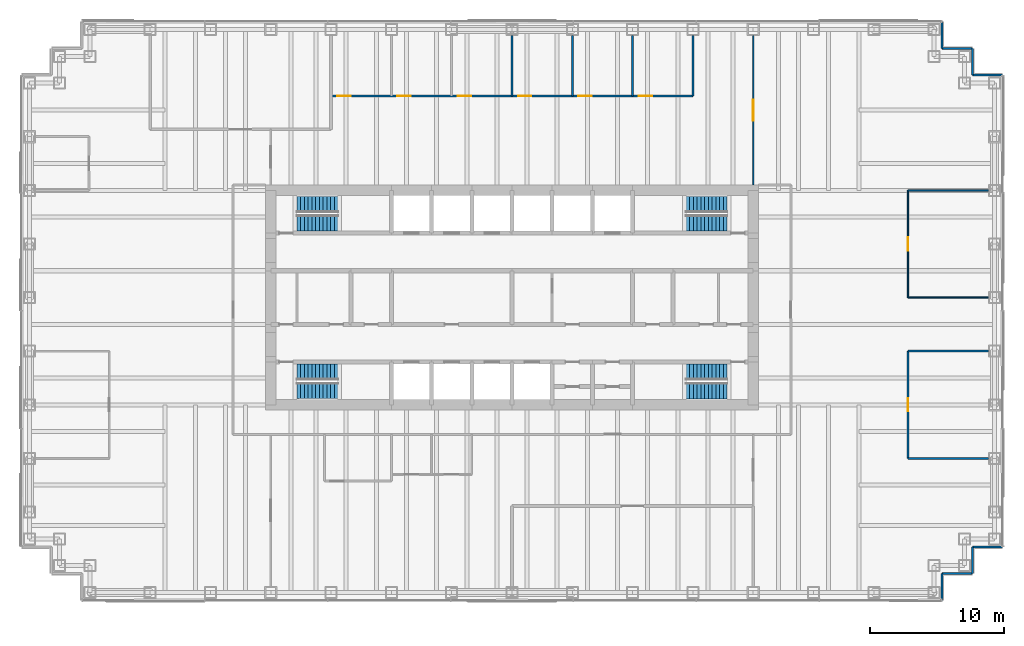
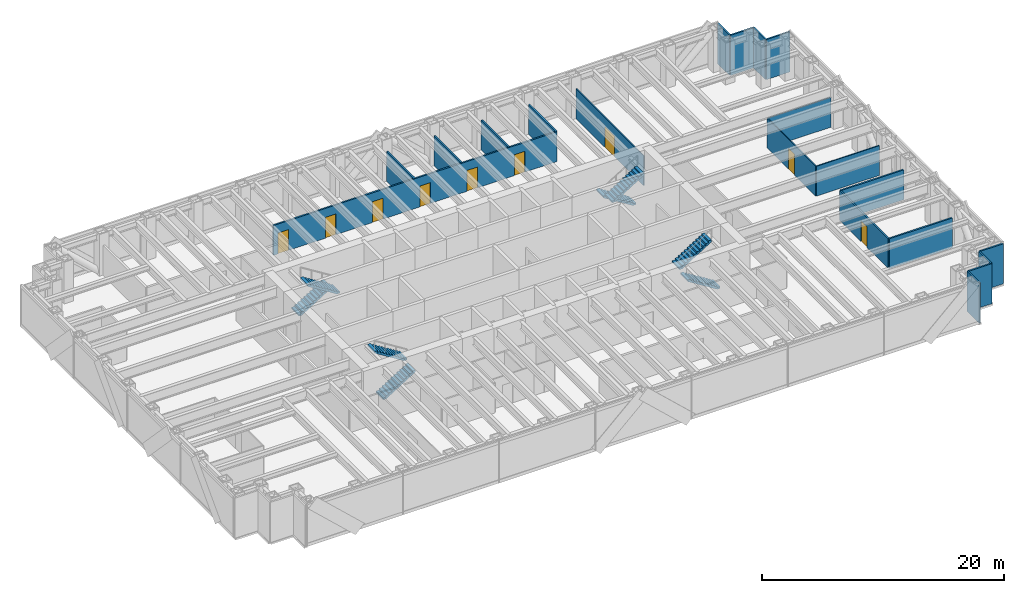
# One storey, part 13 of 14: 20 walls, 9 doors, 8 stair flights, 9 openings, 4 elements without a shape of their own.
"""IFC4 building model written with IfcOpenShell, lengths in metres."""

from ifc_helpers import new_model, si_unit, direction, frame, frame_2d, origin, place, context, subcontext, project, spatial, polyline, rectangle, outline, extrude, material, layer, layer_set, type_object, element, fill, aggregate, save


model = new_model("IFC4")

# Units and contexts
model_context = context("Model", 3, precision=1e-05, world=origin(), true_north=direction((0.0, 1.0)))
body_context = subcontext(model_context, "Body", "Model", "MODEL_VIEW")
ifc_project = project(units=[si_unit("LENGTHUNIT", "METRE"), si_unit("AREAUNIT", "SQUARE_METRE"), si_unit("VOLUMEUNIT", "CUBIC_METRE"), si_unit("PLANEANGLEUNIT", "RADIAN"), si_unit("MASSUNIT", "GRAM", prefix="KILO")], contexts=[model_context])

# Site, building, storey
site_placement = place(None, origin())
site = spatial("IfcSite", under=ifc_project, at=site_placement, CompositionType="ELEMENT")
building_placement = place(site_placement, origin())
building = spatial("IfcBuilding", under=site, at=building_placement, Name="Rheinbord Bourse Tower", CompositionType="ELEMENT")
storey_placement = place(building_placement, frame((0.0, 0.0, 240.39990234375)))
storey = spatial("IfcBuildingStorey", under=building, at=storey_placement, Name="L54", CompositionType="ELEMENT", Elevation=240.39990234375)

# Walls
ifc_material_1 = material(Name="Black metal rainscreen panel", Category="aluminium")
ifc_layer_1 = layer(ifc_material_1, 0.14990234375)
ifc_layer_set_1 = layer_set([ifc_layer_1], Name="CORNER PIER CLADDING 150")
wall_type_1 = type_object("IfcWallType", Name="CORNER PIER CLADDING 150", PredefinedType="ELEMENTEDWALL", material=ifc_layer_set_1)
wall_1_placement = place(storey_placement, frame((68.10009765625, 1.39990234375, 0.0), z_axis=(0.0, 0.0, 1.0), x_axis=(0.0, 1.0, 0.0)))
element("IfcWall", 1, at=wall_1_placement, inside=storey, type_object=wall_type_1, Name="Corner pier cladding L54 2", PredefinedType="ELEMENTEDWALL", context=body_context, shape_type="SweptSolid", body=[
    extrude(rectangle(XDim=2.0, YDim=0.14990234375, at=frame_2d((1.0, 0.0))), origin(), (0.0, 0.0, 1.0), 4.0400390625),
])
wall_2_placement = place(storey_placement, frame((68.10009765625, 3.39990234375, 0.0), z_axis=(0.0, 0.0, 1.0), x_axis=(1.0, 0.0, 0.0)))
element("IfcWall", 2, at=wall_2_placement, inside=storey, type_object=wall_type_1, Name="Corner pier cladding L54 3", PredefinedType="ELEMENTEDWALL", context=body_context, shape_type="SweptSolid", body=[
    extrude(rectangle(XDim=2.25, YDim=0.14990234375, at=frame_2d((1.125, 0.0))), origin(), (0.0, 0.0, 1.0), 4.0400390625),
])
wall_3_placement = place(storey_placement, frame((70.35009765625, 3.39990234375, 0.0), z_axis=(0.0, 0.0, 1.0), x_axis=(0.0, 1.0, 0.0)))
element("IfcWall", 3, at=wall_3_placement, inside=storey, type_object=wall_type_1, Name="Corner pier cladding L54 4", PredefinedType="ELEMENTEDWALL", context=body_context, shape_type="SweptSolid", body=[
    extrude(rectangle(XDim=2.0, YDim=0.14990234375, at=frame_2d((1.0, 0.0))), origin(), (0.0, 0.0, 1.0), 4.0400390625),
])
for number, where, z_axis, x_axis, name in (
    (4, (70.35009765625, 5.39990234375, 0.0), (0.0, 0.0, 1.0), (1.0, 0.0, 0.0), "Corner pier cladding L54 5"),
    (5, (72.60009765625, 40.60009765625, 0.0), (0.0, 0.0, 1.0), (-1.0, 0.0, 0.0), "Corner pier cladding L54 7"),
):
    element("IfcWall", number, at=place(storey_placement, frame(where, z_axis=z_axis, x_axis=x_axis)), inside=storey, type_object=wall_type_1, Name=name, PredefinedType="ELEMENTEDWALL", context=body_context, shape_type="SweptSolid", body=[
        extrude(rectangle(XDim=2.25, YDim=0.14990234375, at=frame_2d((1.125, 0.0))), origin(), (0.0, 0.0, 1.0), 4.0400390625),
    ])
wall_4_placement = place(storey_placement, frame((70.35009765625, 40.60009765625, 0.0), z_axis=(0.0, 0.0, 1.0), x_axis=(0.0, 1.0, 0.0)))
element("IfcWall", 6, at=wall_4_placement, inside=storey, type_object=wall_type_1, Name="Corner pier cladding L54 8", PredefinedType="ELEMENTEDWALL", context=body_context, shape_type="SweptSolid", body=[
    extrude(rectangle(XDim=2.0, YDim=0.14990234375, at=frame_2d((1.0, 0.0))), origin(), (0.0, 0.0, 1.0), 4.0400390625),
])
wall_5_placement = place(storey_placement, frame((70.35009765625, 42.60009765625, 0.0), z_axis=(0.0, 0.0, 1.0), x_axis=(-1.0, 0.0, 0.0)))
element("IfcWall", 7, at=wall_5_placement, inside=storey, type_object=wall_type_1, Name="Corner pier cladding L54 9", PredefinedType="ELEMENTEDWALL", context=body_context, shape_type="SweptSolid", body=[
    extrude(rectangle(XDim=2.25, YDim=0.14990234375, at=frame_2d((1.125, 0.0))), origin(), (0.0, 0.0, 1.0), 4.0400390625),
])
wall_6_placement = place(storey_placement, frame((68.10009765625, 42.60009765625, 0.0), z_axis=(0.0, 0.0, 1.0), x_axis=(0.0, 1.0, 0.0)))
element("IfcWall", 8, at=wall_6_placement, inside=storey, type_object=wall_type_1, Name="Corner pier cladding L54 10", PredefinedType="ELEMENTEDWALL", context=body_context, shape_type="SweptSolid", body=[
    extrude(rectangle(XDim=2.0, YDim=0.14990234375, at=frame_2d((1.0, 0.0))), origin(), (0.0, 0.0, 1.0), 4.0400390625),
])
ifc_material_2 = material(Name="Toughened laminated glass partition", Category="glass")
ifc_layer_2 = layer(ifc_material_2, 0.10009765625)
ifc_layer_set_2 = layer_set([ifc_layer_2], Name="GLAZED PARTITION 100")
wall_type_2 = type_object("IfcWallType", Name="GLAZED PARTITION 100", PredefinedType="PARTITIONING", material=ifc_layer_set_2)
for number, where, z_axis, x_axis, name in (
    (9, (65.550048828125, 24.0, 0.0), (0.0, 0.0, 1.0), (1.0, 0.0, 0.0), "Partition L54-11"),
    (10, (65.550048828125, 32.0, 0.0), (0.0, 0.0, 1.0), (1.0, 0.0, 0.0), "Partition L54-13"),
):
    element("IfcWall", number, at=place(storey_placement, frame(where, z_axis=z_axis, x_axis=x_axis)), inside=storey, type_object=wall_type_2, Name=name, PredefinedType="PARTITIONING", context=body_context, shape_type="SweptSolid", body=[
        extrude(rectangle(XDim=6.0, YDim=0.10009765625, at=frame_2d((3.0, 0.0))), origin(), (0.0, 0.0, 1.0), 3.0),
    ])

# Wall, opening, door
wall_7_placement = place(storey_placement, frame((54.0, 32.39990234375, 0.0), z_axis=(0.0, 0.0, 1.0), x_axis=(0.0, 1.0, 0.0)))
wall_7 = element("IfcWall", 11, at=wall_7_placement, inside=storey, type_object=wall_type_2, Name="Partition L54-39", PredefinedType="PARTITIONING", context=body_context, shape_type="SweptSolid", body=[
    extrude(rectangle(XDim=11.150146484375, YDim=0.10009765625, at=frame_2d((5.5751953125, 0.0))), origin(), (0.0, 0.0, 1.0), 3.0),
])
opening_1_placement = place(wall_7_placement, frame((4.77490234375, 0.0, 0.0)))
opening_1 = element("IfcOpeningElement", 12, at=opening_1_placement, cuts=wall_7, Name="Opening 54D19", PredefinedType="OPENING", context=body_context, shape_type="SweptSolid", body=[
    extrude(rectangle(XDim=1.60009765625, YDim=2.10009765625, at=frame_2d((0.800048828125, 1.050048828125))), frame((0.0, 0.06005859375, 0.0), z_axis=(0.0, -1.0, 0.0), x_axis=(1.0, 0.0, 0.0)), (0.0, 0.0, 1.0), 0.1201171875),
])
ifc_material_3 = material(Name="Timber door", Category="wood")
door_type_1 = type_object("IfcDoorType", Name="DOUBLE ROOM DOOR 1600", OperationType="DOUBLE_DOOR_DOUBLE_SWING", PredefinedType="DOOR", material=ifc_material_3)
door_1_placement = place(opening_1_placement, origin())
door_1 = element("IfcDoor", 13, at=door_1_placement, inside=storey, type_object=door_type_1, Name="Open area door L54", OperationType="SINGLE_SWING_LEFT", OverallHeight=2.10009765625, OverallWidth=1.60009765625, PredefinedType="DOOR", context=body_context, shape_type="SweptSolid", body=[
    extrude(rectangle(XDim=1.60009765625, YDim=2.10009765625, at=frame_2d((0.800048828125, 1.050048828125))), frame((0.0, 0.02490234375, 0.0), z_axis=(0.0, -1.0, 0.0), x_axis=(1.0, 0.0, 0.0)), (0.0, 0.0, 1.0), 0.050048828125),
])
fill(opening_1, door_1)

wall_8_placement = place(storey_placement, frame((65.550048828125, 24.0, 0.0), z_axis=(0.0, 0.0, 1.0), x_axis=(0.0, 1.0, 0.0)))
wall_8 = element("IfcWall", 14, at=wall_8_placement, inside=storey, type_object=wall_type_2, Name="Partition L54-42", PredefinedType="PARTITIONING", context=body_context, shape_type="SweptSolid", body=[
    extrude(rectangle(XDim=8.0, YDim=0.10009765625, at=frame_2d((4.0, 0.0))), origin(), (0.0, 0.0, 1.0), 3.0),
])
opening_2_placement = place(wall_8_placement, frame((3.5, 0.0, 0.0)))
opening_2 = element("IfcOpeningElement", 15, at=opening_2_placement, cuts=wall_8, Name="Opening 54D07", PredefinedType="OPENING", context=body_context, shape_type="SweptSolid", body=[
    extrude(rectangle(XDim=1.0, YDim=2.10009765625, at=frame_2d((0.5, 1.050048828125))), frame((0.0, 0.06005859375, 0.0), z_axis=(0.0, -1.0, 0.0), x_axis=(1.0, 0.0, 0.0)), (0.0, 0.0, 1.0), 0.1201171875),
])
ifc_material_4 = material(Name="Timber door", Category="wood")
door_type_2 = type_object("IfcDoorType", Name="ROOM DOOR 1000", OperationType="SINGLE_SWING_LEFT", PredefinedType="DOOR", material=ifc_material_4)
door_2_placement = place(opening_2_placement, origin())
door_2 = element("IfcDoor", 16, at=door_2_placement, inside=storey, type_object=door_type_2, Name="Meeting room door L54", OperationType="SINGLE_SWING_LEFT", OverallHeight=2.10009765625, OverallWidth=1.0, PredefinedType="DOOR", context=body_context, shape_type="SweptSolid", body=[
    extrude(rectangle(XDim=1.0, YDim=2.10009765625, at=frame_2d((0.5, 1.050048828125))), frame((0.0, 0.02490234375, 0.0), z_axis=(0.0, -1.0, 0.0), x_axis=(1.0, 0.0, 0.0)), (0.0, 0.0, 1.0), 0.050048828125),
])
fill(opening_2, door_2)

# Walls
ifc_material_5 = material(Name="Gypsum board partition", Category="gypsum board")
ifc_layer_3 = layer(ifc_material_5, 0.14990234375)
ifc_layer_set_3 = layer_set([ifc_layer_3], Name="PARTITION 150")
wall_type_3 = type_object("IfcWallType", Name="PARTITION 150", PredefinedType="PARTITIONING", material=ifc_layer_set_3)
for number, where, z_axis, x_axis, name in (
    (17, (65.550048828125, 12.0, 0.0), (0.0, 0.0, 1.0), (1.0, 0.0, 0.0), "Partition L54-05"),
    (18, (65.550048828125, 20.0, 0.0), (0.0, 0.0, 1.0), (1.0, 0.0, 0.0), "Partition L54-10"),
):
    element("IfcWall", number, at=place(storey_placement, frame(where, z_axis=z_axis, x_axis=x_axis)), inside=storey, type_object=wall_type_3, Name=name, PredefinedType="PARTITIONING", context=body_context, shape_type="SweptSolid", body=[
        extrude(rectangle(XDim=6.0, YDim=0.14990234375, at=frame_2d((3.0, 0.0))), origin(), (0.0, 0.0, 1.0), 3.0),
    ])

# Wall, openings, doors
wall_9_placement = place(storey_placement, frame((22.5, 39.050048828125, 0.0), z_axis=(0.0, 0.0, 1.0), x_axis=(1.0, 0.0, 0.0)))
wall_9 = element("IfcWall", 19, at=wall_9_placement, inside=storey, type_object=wall_type_3, Name="Partition L54-18", PredefinedType="PARTITIONING", context=body_context, shape_type="SweptSolid", body=[
    extrude(rectangle(XDim=27.0, YDim=0.14990234375, at=frame_2d((13.5, 0.0))), origin(), (0.0, 0.0, 1.0), 3.0),
])
opening_3_placement = place(wall_9_placement, frame((0.449951171875, 0.0, 0.0)))
opening_3 = element("IfcOpeningElement", 20, at=opening_3_placement, cuts=wall_9, Name="Opening 54D10", PredefinedType="OPENING", context=body_context, shape_type="SweptSolid", body=[
    extrude(rectangle(XDim=1.0, YDim=2.10009765625, at=frame_2d((0.5, 1.050048828125))), frame((0.0, 0.0849609375, 0.0), z_axis=(0.0, -1.0, 0.0), x_axis=(1.0, 0.0, 0.0)), (0.0, 0.0, 1.0), 0.169921875),
])
opening_4_placement = place(wall_9_placement, frame((4.949951171875, 0.0, 0.0)))
opening_4 = element("IfcOpeningElement", 21, at=opening_4_placement, cuts=wall_9, Name="Opening 54D11", PredefinedType="OPENING", context=body_context, shape_type="SweptSolid", body=[
    extrude(rectangle(XDim=1.0, YDim=2.10009765625, at=frame_2d((0.5, 1.050048828125))), frame((0.0, 0.0849609375, 0.0), z_axis=(0.0, -1.0, 0.0), x_axis=(1.0, 0.0, 0.0)), (0.0, 0.0, 1.0), 0.169921875),
])
opening_5_placement = place(wall_9_placement, frame((9.449951171875, 0.0, 0.0)))
opening_5 = element("IfcOpeningElement", 22, at=opening_5_placement, cuts=wall_9, Name="Opening 54D12", PredefinedType="OPENING", context=body_context, shape_type="SweptSolid", body=[
    extrude(rectangle(XDim=1.0, YDim=2.10009765625, at=frame_2d((0.5, 1.050048828125))), frame((0.0, 0.0849609375, 0.0), z_axis=(0.0, -1.0, 0.0), x_axis=(1.0, 0.0, 0.0)), (0.0, 0.0, 1.0), 0.169921875),
])
opening_6_placement = place(wall_9_placement, frame((13.949951171875, 0.0, 0.0)))
opening_6 = element("IfcOpeningElement", 23, at=opening_6_placement, cuts=wall_9, Name="Opening 54D13", PredefinedType="OPENING", context=body_context, shape_type="SweptSolid", body=[
    extrude(rectangle(XDim=1.0, YDim=2.10009765625, at=frame_2d((0.5, 1.050048828125))), frame((0.0, 0.0849609375, 0.0), z_axis=(0.0, -1.0, 0.0), x_axis=(1.0, 0.0, 0.0)), (0.0, 0.0, 1.0), 0.169921875),
])
opening_7_placement = place(wall_9_placement, frame((18.449951171875, 0.0, 0.0)))
opening_7 = element("IfcOpeningElement", 24, at=opening_7_placement, cuts=wall_9, Name="Opening 54D14", PredefinedType="OPENING", context=body_context, shape_type="SweptSolid", body=[
    extrude(rectangle(XDim=1.0, YDim=2.10009765625, at=frame_2d((0.5, 1.050048828125))), frame((0.0, 0.0849609375, 0.0), z_axis=(0.0, -1.0, 0.0), x_axis=(1.0, 0.0, 0.0)), (0.0, 0.0, 1.0), 0.169921875),
])
opening_8_placement = place(wall_9_placement, frame((22.949951171875, 0.0, 0.0)))
opening_8 = element("IfcOpeningElement", 25, at=opening_8_placement, cuts=wall_9, Name="Opening 54D15", PredefinedType="OPENING", context=body_context, shape_type="SweptSolid", body=[
    extrude(rectangle(XDim=1.0, YDim=2.10009765625, at=frame_2d((0.5, 1.050048828125))), frame((0.0, 0.0849609375, 0.0), z_axis=(0.0, -1.0, 0.0), x_axis=(1.0, 0.0, 0.0)), (0.0, 0.0, 1.0), 0.169921875),
])
door_3_placement = place(opening_3_placement, origin())
door_3 = element("IfcDoor", 26, at=door_3_placement, inside=storey, type_object=door_type_2, Name="Office door L54", OperationType="SINGLE_SWING_LEFT", OverallHeight=2.10009765625, OverallWidth=1.0, PredefinedType="DOOR", context=body_context, shape_type="SweptSolid", body=[
    extrude(rectangle(XDim=1.0, YDim=2.10009765625, at=frame_2d((0.5, 1.050048828125))), frame((0.0, 0.02490234375, 0.0), z_axis=(0.0, -1.0, 0.0), x_axis=(1.0, 0.0, 0.0)), (0.0, 0.0, 1.0), 0.050048828125),
])
fill(opening_3, door_3)
door_4_placement = place(opening_4_placement, origin())
door_4 = element("IfcDoor", 27, at=door_4_placement, inside=storey, type_object=door_type_2, Name="Office door L54", OperationType="SINGLE_SWING_LEFT", OverallHeight=2.10009765625, OverallWidth=1.0, PredefinedType="DOOR", context=body_context, shape_type="SweptSolid", body=[
    extrude(rectangle(XDim=1.0, YDim=2.10009765625, at=frame_2d((0.5, 1.050048828125))), frame((0.0, 0.02490234375, 0.0), z_axis=(0.0, -1.0, 0.0), x_axis=(1.0, 0.0, 0.0)), (0.0, 0.0, 1.0), 0.050048828125),
])
fill(opening_4, door_4)
door_5_placement = place(opening_5_placement, origin())
door_5 = element("IfcDoor", 28, at=door_5_placement, inside=storey, type_object=door_type_2, Name="Office door L54", OperationType="SINGLE_SWING_LEFT", OverallHeight=2.10009765625, OverallWidth=1.0, PredefinedType="DOOR", context=body_context, shape_type="SweptSolid", body=[
    extrude(rectangle(XDim=1.0, YDim=2.10009765625, at=frame_2d((0.5, 1.050048828125))), frame((0.0, 0.02490234375, 0.0), z_axis=(0.0, -1.0, 0.0), x_axis=(1.0, 0.0, 0.0)), (0.0, 0.0, 1.0), 0.050048828125),
])
fill(opening_5, door_5)
door_6_placement = place(opening_6_placement, origin())
door_6 = element("IfcDoor", 29, at=door_6_placement, inside=storey, type_object=door_type_2, Name="Office door L54", OperationType="SINGLE_SWING_RIGHT", OverallHeight=2.10009765625, OverallWidth=1.0, PredefinedType="DOOR", context=body_context, shape_type="SweptSolid", body=[
    extrude(rectangle(XDim=1.0, YDim=2.10009765625, at=frame_2d((0.5, 1.050048828125))), frame((0.0, 0.02490234375, 0.0), z_axis=(0.0, -1.0, 0.0), x_axis=(1.0, 0.0, 0.0)), (0.0, 0.0, 1.0), 0.050048828125),
])
fill(opening_6, door_6)
door_7_placement = place(opening_7_placement, origin())
door_7 = element("IfcDoor", 30, at=door_7_placement, inside=storey, type_object=door_type_2, Name="Office door L54", OperationType="SINGLE_SWING_RIGHT", OverallHeight=2.10009765625, OverallWidth=1.0, PredefinedType="DOOR", context=body_context, shape_type="SweptSolid", body=[
    extrude(rectangle(XDim=1.0, YDim=2.10009765625, at=frame_2d((0.5, 1.050048828125))), frame((0.0, 0.02490234375, 0.0), z_axis=(0.0, -1.0, 0.0), x_axis=(1.0, 0.0, 0.0)), (0.0, 0.0, 1.0), 0.050048828125),
])
fill(opening_7, door_7)
door_8_placement = place(opening_8_placement, origin())
door_8 = element("IfcDoor", 31, at=door_8_placement, inside=storey, type_object=door_type_2, Name="Office door L54", OperationType="SINGLE_SWING_RIGHT", OverallHeight=2.10009765625, OverallWidth=1.0, PredefinedType="DOOR", context=body_context, shape_type="SweptSolid", body=[
    extrude(rectangle(XDim=1.0, YDim=2.10009765625, at=frame_2d((0.5, 1.050048828125))), frame((0.0, 0.02490234375, 0.0), z_axis=(0.0, -1.0, 0.0), x_axis=(1.0, 0.0, 0.0)), (0.0, 0.0, 1.0), 0.050048828125),
])
fill(opening_8, door_8)

# Walls
for number, where, z_axis, x_axis, name in (
    (32, (36.0, 39.050048828125, 0.0), (0.0, 0.0, 1.0), (0.0, 1.0, 0.0), "Partition L54-33"),
    (33, (40.5, 39.050048828125, 0.0), (0.0, 0.0, 1.0), (0.0, 1.0, 0.0), "Partition L54-34"),
    (34, (45.0, 39.050048828125, 0.0), (0.0, 0.0, 1.0), (0.0, 1.0, 0.0), "Partition L54-35"),
    (35, (49.5, 39.050048828125, 0.0), (0.0, 0.0, 1.0), (0.0, 1.0, 0.0), "Partition L54-36"),
):
    element("IfcWall", number, at=place(storey_placement, frame(where, z_axis=z_axis, x_axis=x_axis)), inside=storey, type_object=wall_type_3, Name=name, PredefinedType="PARTITIONING", context=body_context, shape_type="SweptSolid", body=[
        extrude(rectangle(XDim=4.5, YDim=0.14990234375, at=frame_2d((2.25, 0.0))), origin(), (0.0, 0.0, 1.0), 3.0),
    ])

# Wall, opening, door
wall_10_placement = place(storey_placement, frame((65.550048828125, 12.0, 0.0), z_axis=(0.0, 0.0, 1.0), x_axis=(0.0, 1.0, 0.0)))
wall_10 = element("IfcWall", 36, at=wall_10_placement, inside=storey, type_object=wall_type_3, Name="Partition L54-41", PredefinedType="PARTITIONING", context=body_context, shape_type="SweptSolid", body=[
    extrude(rectangle(XDim=8.0, YDim=0.14990234375, at=frame_2d((4.0, 0.0))), origin(), (0.0, 0.0, 1.0), 3.0),
])
opening_9_placement = place(wall_10_placement, frame((3.5, 0.0, 0.0)))
opening_9 = element("IfcOpeningElement", 37, at=opening_9_placement, cuts=wall_10, Name="Opening 54D05", PredefinedType="OPENING", context=body_context, shape_type="SweptSolid", body=[
    extrude(rectangle(XDim=1.0, YDim=2.10009765625, at=frame_2d((0.5, 1.050048828125))), frame((0.0, 0.0849609375, 0.0), z_axis=(0.0, -1.0, 0.0), x_axis=(1.0, 0.0, 0.0)), (0.0, 0.0, 1.0), 0.169921875),
])
door_9_placement = place(opening_9_placement, origin())
door_9 = element("IfcDoor", 38, at=door_9_placement, inside=storey, type_object=door_type_2, Name="Pantry door L54", OperationType="SINGLE_SWING_LEFT", OverallHeight=2.10009765625, OverallWidth=1.0, PredefinedType="DOOR", context=body_context, shape_type="SweptSolid", body=[
    extrude(rectangle(XDim=1.0, YDim=2.10009765625, at=frame_2d((0.5, 1.050048828125))), frame((0.0, 0.02490234375, 0.0), z_axis=(0.0, -1.0, 0.0), x_axis=(1.0, 0.0, 0.0)), (0.0, 0.0, 1.0), 0.050048828125),
])
fill(opening_9, door_9)

# Stair, stair flights
ifc_material_6 = material(Name="Concrete C30/37", Category="concrete")
stair_type = type_object("IfcStairType", Name="CORE STAIR HALF TURN 4200", PredefinedType="HALF_TURN_STAIR", material=ifc_material_6)
stair_1_placement = place(storey_placement, origin())
stair_1 = element("IfcStair", 39, at=stair_1_placement, inside=storey, type_object=stair_type, Name="Stair ST1 L54, type CS6", PredefinedType="HALF_TURN_STAIR")
ifc_material_7 = material(Name="Concrete C30/37", Category="concrete")
stair_flight_type = type_object("IfcStairFlightType", Name="CORE STAIR FLIGHT 1200, 12 RISERS", PredefinedType="STRAIGHT", material=ifc_material_7)
stair_flight_1_placement = place(storey_placement, frame((19.949951171875, 17.050048828125, 0.0), z_axis=(0.0, 0.0, 1.0), x_axis=(1.0, 0.0, 0.0)))
stair_flight_1 = element("IfcStairFlight", 40, at=stair_flight_1_placement, type_object=stair_flight_type, Name="STAIR L54 ST1 F1", NumberOfRisers=12, NumberOfTreads=11, PredefinedType="STRAIGHT", RiserHeight=0.175, TreadLength=0.28, context=body_context, shape_type="SweptSolid", body=[
    extrude(outline(polyline([(0.0, 0.0), (0.0, 0.175048828125), (0.280029296875, 0.175048828125), (0.280029296875, 0.35009765625), (0.56005859375, 0.35009765625), (0.56005859375, 0.52490234375), (0.840087890625, 0.52490234375), (0.840087890625, 0.699951171875), (1.1201171875, 0.699951171875), (1.1201171875, 0.875), (1.39990234375, 0.875), (1.39990234375, 1.050048828125), (1.679931640625, 1.050048828125), (1.679931640625, 1.22509765625), (1.9599609375, 1.22509765625), (1.9599609375, 1.39990234375), (2.239990234375, 1.39990234375), (2.239990234375, 1.574951171875), (2.52001953125, 1.574951171875), (2.52001953125, 1.75), (2.800048828125, 1.75), (2.800048828125, 1.925048828125), (3.080078125, 1.925048828125), (3.080078125, 2.10009765625), (3.080078125, 1.748291015625), (0.28271484375, 0.0), (0.0, 0.0)])), frame((0.0, 0.60009765625, 0.0), z_axis=(0.0, -1.0, 0.0), x_axis=(1.0, 0.0, 0.0)), (0.0, 0.0, 1.0), 1.199951171875),
])
stair_flight_2_placement = place(storey_placement, frame((23.030029296875, 18.449951171875, 2.10009765625), z_axis=(0.0, 0.0, 1.0), x_axis=(-1.0, 0.0, 0.0)))
stair_flight_2 = element("IfcStairFlight", 41, at=stair_flight_2_placement, type_object=stair_flight_type, Name="STAIR L54 ST1 F2", NumberOfRisers=12, NumberOfTreads=11, PredefinedType="STRAIGHT", RiserHeight=0.175, TreadLength=0.28, context=body_context, shape_type="SweptSolid", body=[
    extrude(outline(polyline([(0.0, 0.0), (0.0, 0.175048828125), (0.280029296875, 0.175048828125), (0.280029296875, 0.35009765625), (0.56005859375, 0.35009765625), (0.56005859375, 0.52490234375), (0.840087890625, 0.52490234375), (0.840087890625, 0.699951171875), (1.1201171875, 0.699951171875), (1.1201171875, 0.875), (1.39990234375, 0.875), (1.39990234375, 1.050048828125), (1.679931640625, 1.050048828125), (1.679931640625, 1.22509765625), (1.9599609375, 1.22509765625), (1.9599609375, 1.39990234375), (2.239990234375, 1.39990234375), (2.239990234375, 1.574951171875), (2.52001953125, 1.574951171875), (2.52001953125, 1.75), (2.800048828125, 1.75), (2.800048828125, 1.925048828125), (3.080078125, 1.925048828125), (3.080078125, 2.10009765625), (3.080078125, 1.748291015625), (0.28271484375, 0.0), (0.0, 0.0)])), frame((0.0, 0.60009765625, 0.0), z_axis=(0.0, -1.0, 0.0), x_axis=(1.0, 0.0, 0.0)), (0.0, 0.0, 1.0), 1.199951171875),
])
aggregate(stair_1, [stair_flight_1, stair_flight_2])

stair_2_placement = place(storey_placement, origin())
stair_2 = element("IfcStair", 42, at=stair_2_placement, inside=storey, type_object=stair_type, Name="Stair ST2 L54, type CS6", PredefinedType="HALF_TURN_STAIR")
stair_flight_3_placement = place(storey_placement, frame((19.949951171875, 30.949951171875, 0.0), z_axis=(0.0, 0.0, 1.0), x_axis=(1.0, 0.0, 0.0)))
stair_flight_3 = element("IfcStairFlight", 43, at=stair_flight_3_placement, type_object=stair_flight_type, Name="STAIR L54 ST2 F1", NumberOfRisers=12, NumberOfTreads=11, PredefinedType="STRAIGHT", RiserHeight=0.175, TreadLength=0.28, context=body_context, shape_type="SweptSolid", body=[
    extrude(outline(polyline([(0.0, 0.0), (0.0, 0.175048828125), (0.280029296875, 0.175048828125), (0.280029296875, 0.35009765625), (0.56005859375, 0.35009765625), (0.56005859375, 0.52490234375), (0.840087890625, 0.52490234375), (0.840087890625, 0.699951171875), (1.1201171875, 0.699951171875), (1.1201171875, 0.875), (1.39990234375, 0.875), (1.39990234375, 1.050048828125), (1.679931640625, 1.050048828125), (1.679931640625, 1.22509765625), (1.9599609375, 1.22509765625), (1.9599609375, 1.39990234375), (2.239990234375, 1.39990234375), (2.239990234375, 1.574951171875), (2.52001953125, 1.574951171875), (2.52001953125, 1.75), (2.800048828125, 1.75), (2.800048828125, 1.925048828125), (3.080078125, 1.925048828125), (3.080078125, 2.10009765625), (3.080078125, 1.748291015625), (0.28271484375, 0.0), (0.0, 0.0)])), frame((0.0, 0.60009765625, 0.0), z_axis=(0.0, -1.0, 0.0), x_axis=(1.0, 0.0, 0.0)), (0.0, 0.0, 1.0), 1.199951171875),
])
stair_flight_4_placement = place(storey_placement, frame((23.030029296875, 29.550048828125, 2.10009765625), z_axis=(0.0, 0.0, 1.0), x_axis=(-1.0, 0.0, 0.0)))
stair_flight_4 = element("IfcStairFlight", 44, at=stair_flight_4_placement, type_object=stair_flight_type, Name="STAIR L54 ST2 F2", NumberOfRisers=12, NumberOfTreads=11, PredefinedType="STRAIGHT", RiserHeight=0.175, TreadLength=0.28, context=body_context, shape_type="SweptSolid", body=[
    extrude(outline(polyline([(0.0, 0.0), (0.0, 0.175048828125), (0.280029296875, 0.175048828125), (0.280029296875, 0.35009765625), (0.56005859375, 0.35009765625), (0.56005859375, 0.52490234375), (0.840087890625, 0.52490234375), (0.840087890625, 0.699951171875), (1.1201171875, 0.699951171875), (1.1201171875, 0.875), (1.39990234375, 0.875), (1.39990234375, 1.050048828125), (1.679931640625, 1.050048828125), (1.679931640625, 1.22509765625), (1.9599609375, 1.22509765625), (1.9599609375, 1.39990234375), (2.239990234375, 1.39990234375), (2.239990234375, 1.574951171875), (2.52001953125, 1.574951171875), (2.52001953125, 1.75), (2.800048828125, 1.75), (2.800048828125, 1.925048828125), (3.080078125, 1.925048828125), (3.080078125, 2.10009765625), (3.080078125, 1.748291015625), (0.28271484375, 0.0), (0.0, 0.0)])), frame((0.0, 0.60009765625, 0.0), z_axis=(0.0, -1.0, 0.0), x_axis=(1.0, 0.0, 0.0)), (0.0, 0.0, 1.0), 1.199951171875),
])
aggregate(stair_2, [stair_flight_3, stair_flight_4])

stair_3_placement = place(storey_placement, origin())
stair_3 = element("IfcStair", 45, at=stair_3_placement, inside=storey, type_object=stair_type, Name="Stair ST3 L54, type CS6", PredefinedType="HALF_TURN_STAIR")
stair_flight_5_placement = place(storey_placement, frame((52.050048828125, 17.050048828125, 0.0), z_axis=(0.0, 0.0, 1.0), x_axis=(-1.0, 0.0, 0.0)))
stair_flight_5 = element("IfcStairFlight", 46, at=stair_flight_5_placement, type_object=stair_flight_type, Name="STAIR L54 ST3 F1", NumberOfRisers=12, NumberOfTreads=11, PredefinedType="STRAIGHT", RiserHeight=0.175, TreadLength=0.28, context=body_context, shape_type="SweptSolid", body=[
    extrude(outline(polyline([(0.0, 0.0), (0.0, 0.175048828125), (0.280029296875, 0.175048828125), (0.280029296875, 0.35009765625), (0.56005859375, 0.35009765625), (0.56005859375, 0.52490234375), (0.840087890625, 0.52490234375), (0.840087890625, 0.699951171875), (1.1201171875, 0.699951171875), (1.1201171875, 0.875), (1.39990234375, 0.875), (1.39990234375, 1.050048828125), (1.679931640625, 1.050048828125), (1.679931640625, 1.22509765625), (1.9599609375, 1.22509765625), (1.9599609375, 1.39990234375), (2.239990234375, 1.39990234375), (2.239990234375, 1.574951171875), (2.52001953125, 1.574951171875), (2.52001953125, 1.75), (2.800048828125, 1.75), (2.800048828125, 1.925048828125), (3.080078125, 1.925048828125), (3.080078125, 2.10009765625), (3.080078125, 1.748291015625), (0.28271484375, 0.0), (0.0, 0.0)])), frame((0.0, 0.60009765625, 0.0), z_axis=(0.0, -1.0, 0.0), x_axis=(1.0, 0.0, 0.0)), (0.0, 0.0, 1.0), 1.199951171875),
])
stair_flight_6_placement = place(storey_placement, frame((48.969970703125, 18.449951171875, 2.10009765625), z_axis=(0.0, 0.0, 1.0), x_axis=(1.0, 0.0, 0.0)))
stair_flight_6 = element("IfcStairFlight", 47, at=stair_flight_6_placement, type_object=stair_flight_type, Name="STAIR L54 ST3 F2", NumberOfRisers=12, NumberOfTreads=11, PredefinedType="STRAIGHT", RiserHeight=0.175, TreadLength=0.28, context=body_context, shape_type="SweptSolid", body=[
    extrude(outline(polyline([(0.0, 0.0), (0.0, 0.175048828125), (0.280029296875, 0.175048828125), (0.280029296875, 0.35009765625), (0.56005859375, 0.35009765625), (0.56005859375, 0.52490234375), (0.840087890625, 0.52490234375), (0.840087890625, 0.699951171875), (1.1201171875, 0.699951171875), (1.1201171875, 0.875), (1.39990234375, 0.875), (1.39990234375, 1.050048828125), (1.679931640625, 1.050048828125), (1.679931640625, 1.22509765625), (1.9599609375, 1.22509765625), (1.9599609375, 1.39990234375), (2.239990234375, 1.39990234375), (2.239990234375, 1.574951171875), (2.52001953125, 1.574951171875), (2.52001953125, 1.75), (2.800048828125, 1.75), (2.800048828125, 1.925048828125), (3.080078125, 1.925048828125), (3.080078125, 2.10009765625), (3.080078125, 1.748291015625), (0.28271484375, 0.0), (0.0, 0.0)])), frame((0.0, 0.60009765625, 0.0), z_axis=(0.0, -1.0, 0.0), x_axis=(1.0, 0.0, 0.0)), (0.0, 0.0, 1.0), 1.199951171875),
])
aggregate(stair_3, [stair_flight_5, stair_flight_6])

stair_4_placement = place(storey_placement, origin())
stair_4 = element("IfcStair", 48, at=stair_4_placement, inside=storey, type_object=stair_type, Name="Stair ST4 L54, type CS6", PredefinedType="HALF_TURN_STAIR")
stair_flight_7_placement = place(storey_placement, frame((52.050048828125, 30.949951171875, 0.0), z_axis=(0.0, 0.0, 1.0), x_axis=(-1.0, 0.0, 0.0)))
stair_flight_7 = element("IfcStairFlight", 49, at=stair_flight_7_placement, type_object=stair_flight_type, Name="STAIR L54 ST4 F1", NumberOfRisers=12, NumberOfTreads=11, PredefinedType="STRAIGHT", RiserHeight=0.175, TreadLength=0.28, context=body_context, shape_type="SweptSolid", body=[
    extrude(outline(polyline([(0.0, 0.0), (0.0, 0.175048828125), (0.280029296875, 0.175048828125), (0.280029296875, 0.35009765625), (0.56005859375, 0.35009765625), (0.56005859375, 0.52490234375), (0.840087890625, 0.52490234375), (0.840087890625, 0.699951171875), (1.1201171875, 0.699951171875), (1.1201171875, 0.875), (1.39990234375, 0.875), (1.39990234375, 1.050048828125), (1.679931640625, 1.050048828125), (1.679931640625, 1.22509765625), (1.9599609375, 1.22509765625), (1.9599609375, 1.39990234375), (2.239990234375, 1.39990234375), (2.239990234375, 1.574951171875), (2.52001953125, 1.574951171875), (2.52001953125, 1.75), (2.800048828125, 1.75), (2.800048828125, 1.925048828125), (3.080078125, 1.925048828125), (3.080078125, 2.10009765625), (3.080078125, 1.748291015625), (0.28271484375, 0.0), (0.0, 0.0)])), frame((0.0, 0.60009765625, 0.0), z_axis=(0.0, -1.0, 0.0), x_axis=(1.0, 0.0, 0.0)), (0.0, 0.0, 1.0), 1.199951171875),
])
stair_flight_8_placement = place(storey_placement, frame((48.969970703125, 29.550048828125, 2.10009765625), z_axis=(0.0, 0.0, 1.0), x_axis=(1.0, 0.0, 0.0)))
stair_flight_8 = element("IfcStairFlight", 50, at=stair_flight_8_placement, type_object=stair_flight_type, Name="STAIR L54 ST4 F2", NumberOfRisers=12, NumberOfTreads=11, PredefinedType="STRAIGHT", RiserHeight=0.175, TreadLength=0.28, context=body_context, shape_type="SweptSolid", body=[
    extrude(outline(polyline([(0.0, 0.0), (0.0, 0.175048828125), (0.280029296875, 0.175048828125), (0.280029296875, 0.35009765625), (0.56005859375, 0.35009765625), (0.56005859375, 0.52490234375), (0.840087890625, 0.52490234375), (0.840087890625, 0.699951171875), (1.1201171875, 0.699951171875), (1.1201171875, 0.875), (1.39990234375, 0.875), (1.39990234375, 1.050048828125), (1.679931640625, 1.050048828125), (1.679931640625, 1.22509765625), (1.9599609375, 1.22509765625), (1.9599609375, 1.39990234375), (2.239990234375, 1.39990234375), (2.239990234375, 1.574951171875), (2.52001953125, 1.574951171875), (2.52001953125, 1.75), (2.800048828125, 1.75), (2.800048828125, 1.925048828125), (3.080078125, 1.925048828125), (3.080078125, 2.10009765625), (3.080078125, 1.748291015625), (0.28271484375, 0.0), (0.0, 0.0)])), frame((0.0, 0.60009765625, 0.0), z_axis=(0.0, -1.0, 0.0), x_axis=(1.0, 0.0, 0.0)), (0.0, 0.0, 1.0), 1.199951171875),
])
aggregate(stair_4, [stair_flight_7, stair_flight_8])

save(model, "model.ifc")
